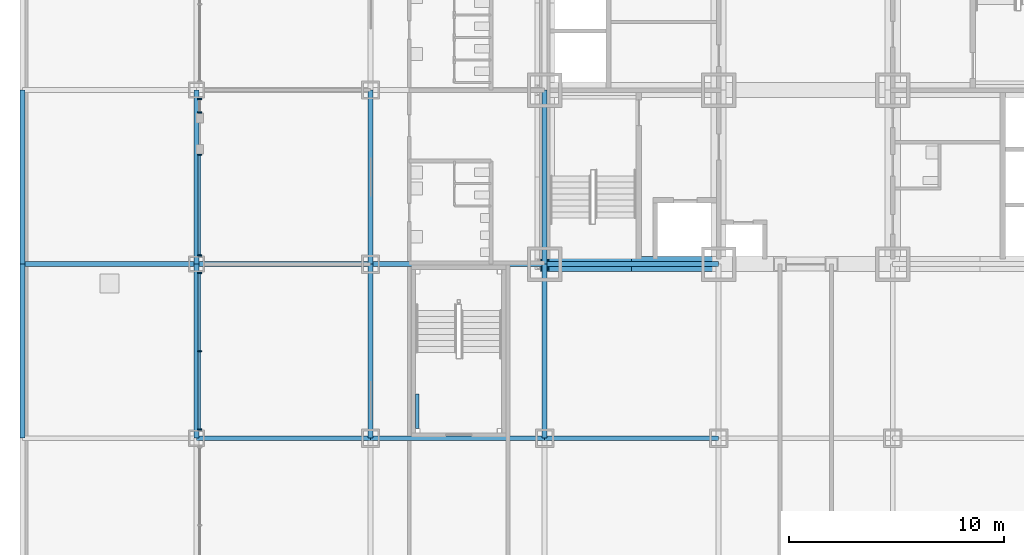
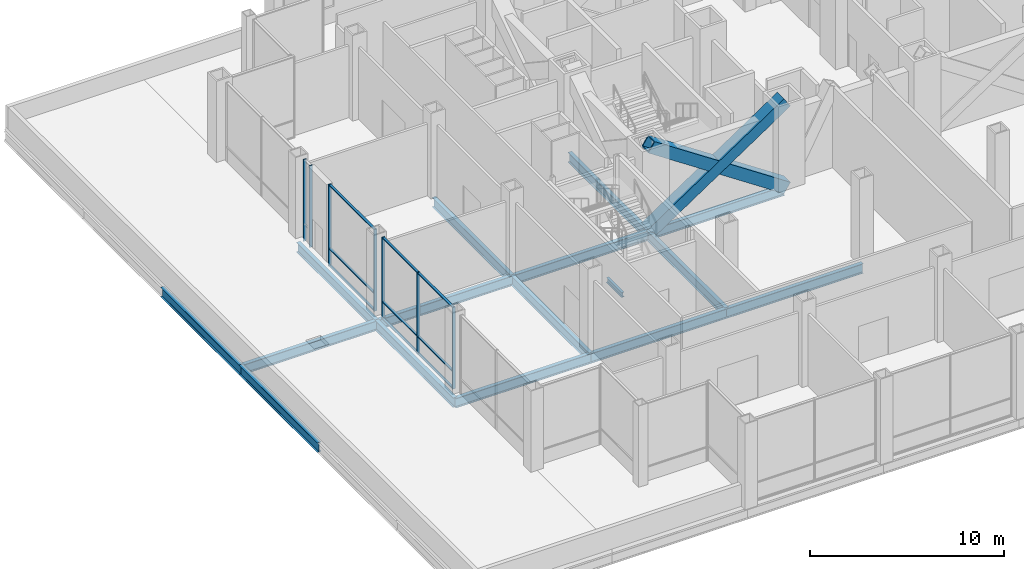
# One storey, part 8 of 26: 18 members, 16 beams, 3 elements without a shape of their own.
"""IFC4 building model written with IfcOpenShell, lengths in metres."""

from ifc_helpers import new_model, si_unit, direction, frame, origin, origin_2d, place, context, subcontext, project, spatial, rectangle, hollow_rectangle, i_section, extrude, material, material_profile, profile_set, type_object, element, aggregate, save


model = new_model("IFC4")

# Units and contexts
model_context = context("Model", 3, precision=1e-05, world=origin(), true_north=direction((0.0, 1.0)))
body_context = subcontext(model_context, "Body", "Model", "MODEL_VIEW")
ifc_project = project(units=[si_unit("LENGTHUNIT", "METRE"), si_unit("AREAUNIT", "SQUARE_METRE"), si_unit("VOLUMEUNIT", "CUBIC_METRE"), si_unit("PLANEANGLEUNIT", "RADIAN"), si_unit("MASSUNIT", "GRAM", prefix="KILO")], contexts=[model_context])

# Site, building, storey
site_placement = place(None, origin())
site = spatial("IfcSite", under=ifc_project, at=site_placement, CompositionType="ELEMENT")
building_placement = place(site_placement, origin())
building = spatial("IfcBuilding", under=site, at=building_placement, Name="Kopane Lantern Tower", CompositionType="ELEMENT")
storey_placement = place(building_placement, frame((0.0, 0.0, 16.800048828125)))
storey = spatial("IfcBuildingStorey", under=building, at=storey_placement, Name="L03", CompositionType="ELEMENT", Elevation=16.800048828125)

# Members
ifc_material_1 = material(Name="Steel S355JR", Category="steel")
ifc_material_profile_1 = material_profile(ifc_material_1, hollow_rectangle(XDim=0.699951171875, YDim=0.699951171875, WallThickness=0.06005859375, at=origin_2d()), Name="BOX 700x700x60")
ifc_profile_set_1 = profile_set([ifc_material_profile_1], Name="Steel S355JR")
member_type_1 = type_object("IfcMemberType", Name="BRACE BOX 700x700x60", PredefinedType="BRACE", material=ifc_profile_set_1)
for number, where, z_axis, x_axis, name in (
    (1, (16.199951171875, 24.300048828125, -0.25), (0.832058010752, 0.0, 0.55468862143), (0.0, 1.0, 0.0), "Core brace L03"),
    (2, (24.300048828125, 24.300048828125, -0.25), (-0.832058010752, 0.0, 0.55468862143), (0.0, -1.0, 0.0), "Core brace L03"),
):
    element("IfcMember", number, at=place(storey_placement, frame(where, z_axis=z_axis, x_axis=x_axis)), inside=storey, type_object=member_type_1, Name=name, PredefinedType="BRACE", context=body_context, shape_type="SweptSolid", body=[
        extrude(hollow_rectangle(XDim=0.699951171875, YDim=0.699951171875, WallThickness=0.06005859375, at=origin_2d()), origin(), (0.0, 0.0, 1.0), 9.735107421875),
    ])

# Beams
ifc_material_2 = material(Name="Steel S355JR", Category="steel")
ifc_material_profile_2 = material_profile(ifc_material_2, i_section(OverallWidth=0.22900390625, OverallDepth=0.6123046875, WebThickness=0.011962890625, FlangeThickness=0.01953125, FilletRadius=0.0126953125, at=origin_2d()), Name="UB 610x229x125")
ifc_profile_set_2 = profile_set([ifc_material_profile_2], Name="Steel S355JR")
beam_type_1 = type_object("IfcBeamType", Name="GIRDER UB 610x229x125", PredefinedType="BEAM", material=ifc_profile_set_2)
beam_1_placement = place(storey_placement, frame((-8.10009765625, 16.199951171875, -0.55615234375), z_axis=(0.0, 1.0, 0.0), x_axis=(-1.0, 0.0, 0.0)))
element("IfcBeam", 3, at=beam_1_placement, inside=storey, type_object=beam_type_1, Name="Girder L03", PredefinedType="BEAM", context=body_context, shape_type="SweptSolid", body=[
    extrude(i_section(OverallWidth=0.22900390625, OverallDepth=0.6123046875, WebThickness=0.011962890625, FlangeThickness=0.01953125, FilletRadius=0.0126953125, at=origin_2d()), origin(), (0.0, 0.0, 1.0), 8.10009765625),
])
beam_2_placement = place(storey_placement, frame((-8.10009765625, 24.300048828125, -0.55615234375), z_axis=(0.0, 1.0, 0.0), x_axis=(-1.0, 0.0, 0.0)))
element("IfcBeam", 4, at=beam_2_placement, inside=storey, type_object=beam_type_1, Name="Girder L03", PredefinedType="BEAM", context=body_context, shape_type="SweptSolid", body=[
    extrude(i_section(OverallWidth=0.22900390625, OverallDepth=0.6123046875, WebThickness=0.011962890625, FlangeThickness=0.01953125, FilletRadius=0.0126953125, at=origin_2d()), origin(), (0.0, 0.0, 1.0), 8.099853515625),
])
for number, where, z_axis, x_axis, name in (
    (5, (-8.10009765625, 24.300048828125, -0.55615234375), (1.0, 0.0, 0.0), (0.0, 1.0, 0.0), "Girder L03"),
    (6, (0.0, 16.199951171875, -0.55615234375), (0.0, 1.0, 0.0), (-1.0, 0.0, 0.0), "Girder L03"),
    (7, (0.0, 16.199951171875, -0.55615234375), (1.0, 0.0, 0.0), (0.0, 1.0, 0.0), "Girder L03"),
):
    element("IfcBeam", number, at=place(storey_placement, frame(where, z_axis=z_axis, x_axis=x_axis)), inside=storey, type_object=beam_type_1, Name=name, PredefinedType="BEAM", context=body_context, shape_type="SweptSolid", body=[
        extrude(i_section(OverallWidth=0.22900390625, OverallDepth=0.6123046875, WebThickness=0.011962890625, FlangeThickness=0.01953125, FilletRadius=0.0126953125, at=origin_2d()), origin(), (0.0, 0.0, 1.0), 8.10009765625),
    ])
beam_3_placement = place(storey_placement, frame((0.0, 24.300048828125, -0.55615234375), z_axis=(0.0, 1.0, 0.0), x_axis=(-1.0, 0.0, 0.0)))
element("IfcBeam", 8, at=beam_3_placement, inside=storey, type_object=beam_type_1, Name="Girder L03", PredefinedType="BEAM", context=body_context, shape_type="SweptSolid", body=[
    extrude(i_section(OverallWidth=0.22900390625, OverallDepth=0.6123046875, WebThickness=0.011962890625, FlangeThickness=0.01953125, FilletRadius=0.0126953125, at=origin_2d()), origin(), (0.0, 0.0, 1.0), 8.099853515625),
])
for number, where, z_axis, x_axis, name in (
    (9, (0.0, 24.300048828125, -0.55615234375), (1.0, 0.0, 0.0), (0.0, 1.0, 0.0), "Girder L03"),
    (10, (8.10009765625, 16.199951171875, -0.55615234375), (0.0, 1.0, 0.0), (-1.0, 0.0, 0.0), "Girder L03"),
):
    element("IfcBeam", number, at=place(storey_placement, frame(where, z_axis=z_axis, x_axis=x_axis)), inside=storey, type_object=beam_type_1, Name=name, PredefinedType="BEAM", context=body_context, shape_type="SweptSolid", body=[
        extrude(i_section(OverallWidth=0.22900390625, OverallDepth=0.6123046875, WebThickness=0.011962890625, FlangeThickness=0.01953125, FilletRadius=0.0126953125, at=origin_2d()), origin(), (0.0, 0.0, 1.0), 8.10009765625),
    ])
for number, where, z_axis, x_axis, name in (
    (11, (8.10009765625, 16.199951171875, -0.55615234375), (1.0, 0.0, 0.0), (0.0, 1.0, 0.0), "Girder L03"),
    (12, (8.10009765625, 24.300048828125, -0.55615234375), (0.0, 1.0, 0.0), (-1.0, 0.0, 0.0), "Girder L03"),
    (13, (8.10009765625, 24.300048828125, -0.55615234375), (1.0, 0.0, 0.0), (0.0, 1.0, 0.0), "Girder L03"),
):
    element("IfcBeam", number, at=place(storey_placement, frame(where, z_axis=z_axis, x_axis=x_axis)), inside=storey, type_object=beam_type_1, Name=name, PredefinedType="BEAM", context=body_context, shape_type="SweptSolid", body=[
        extrude(i_section(OverallWidth=0.22900390625, OverallDepth=0.6123046875, WebThickness=0.011962890625, FlangeThickness=0.01953125, FilletRadius=0.0126953125, at=origin_2d()), origin(), (0.0, 0.0, 1.0), 8.099853515625),
    ])
for number, where, z_axis, x_axis, name in (
    (14, (16.199951171875, 16.199951171875, -0.55615234375), (0.0, 1.0, 0.0), (-1.0, 0.0, 0.0), "Girder L03"),
    (15, (16.199951171875, 16.199951171875, -0.55615234375), (1.0, 0.0, 0.0), (0.0, 1.0, 0.0), "Girder L03"),
):
    element("IfcBeam", number, at=place(storey_placement, frame(where, z_axis=z_axis, x_axis=x_axis)), inside=storey, type_object=beam_type_1, Name=name, PredefinedType="BEAM", context=body_context, shape_type="SweptSolid", body=[
        extrude(i_section(OverallWidth=0.22900390625, OverallDepth=0.6123046875, WebThickness=0.011962890625, FlangeThickness=0.01953125, FilletRadius=0.0126953125, at=origin_2d()), origin(), (0.0, 0.0, 1.0), 8.10009765625),
    ])
beam_4_placement = place(storey_placement, frame((16.199951171875, 24.300048828125, -0.55615234375), z_axis=(0.0, 1.0, 0.0), x_axis=(-1.0, 0.0, 0.0)))
element("IfcBeam", 16, at=beam_4_placement, inside=storey, type_object=beam_type_1, Name="Girder L03", PredefinedType="BEAM", context=body_context, shape_type="SweptSolid", body=[
    extrude(i_section(OverallWidth=0.22900390625, OverallDepth=0.6123046875, WebThickness=0.011962890625, FlangeThickness=0.01953125, FilletRadius=0.0126953125, at=origin_2d()), origin(), (0.0, 0.0, 1.0), 8.099853515625),
])
beam_5_placement = place(storey_placement, frame((16.199951171875, 24.300048828125, -0.55615234375), z_axis=(1.0, 0.0, 0.0), x_axis=(0.0, 1.0, 0.0)))
element("IfcBeam", 17, at=beam_5_placement, inside=storey, type_object=beam_type_1, Name="Girder L03", PredefinedType="BEAM", context=body_context, shape_type="SweptSolid", body=[
    extrude(i_section(OverallWidth=0.22900390625, OverallDepth=0.6123046875, WebThickness=0.011962890625, FlangeThickness=0.01953125, FilletRadius=0.0126953125, at=origin_2d()), origin(), (0.0, 0.0, 1.0), 8.10009765625),
])

# Curtain wall, members
ifc_material_3 = material(Name="Aluminium and clear glass", Category="aluminium")
curtain_wall_type = type_object("IfcCurtainWallType", Name="CURTAIN WALL CW2 PODIUM UPPER", PredefinedType="USERDEFINED", material=ifc_material_3)
curtain_wall_1_placement = place(storey_placement, origin())
curtain_wall_1 = element("IfcCurtainWall", 18, at=curtain_wall_1_placement, inside=storey, type_object=curtain_wall_type, Name="Curtain wall CW2 W L03", ObjectType="CURTAIN WALL", PredefinedType="USERDEFINED")
ifc_material_4 = material(Name="Aluminium", Category="aluminium")
ifc_material_profile_3 = material_profile(ifc_material_4, rectangle(XDim=0.06005859375, YDim=0.179931640625, at=origin_2d()), Name="AL 60x180")
ifc_profile_set_3 = profile_set([ifc_material_profile_3], Name="Aluminium")
member_type_2 = type_object("IfcMemberType", Name="MULLION CW2-M 60x180", PredefinedType="MULLION", material=ifc_profile_set_3)
member_1_placement = place(storey_placement, frame((0.14990234375, 31.989990234375, 0.0), z_axis=(0.0, 0.0, 1.0), x_axis=(0.0, -1.0, 0.0)))
member_1 = element("IfcMember", 19, at=member_1_placement, type_object=member_type_2, Name="CW2 mullion 1", PredefinedType="MULLION", context=body_context, shape_type="SweptSolid", body=[
    extrude(rectangle(XDim=0.06005859375, YDim=0.179931640625, at=origin_2d()), origin(), (0.0, 0.0, 1.0), 5.14990234375),
])
member_2_placement = place(storey_placement, frame((0.14990234375, 31.35498046875, 0.0), z_axis=(0.0, 0.0, 1.0), x_axis=(0.0, -1.0, 0.0)))
member_2 = element("IfcMember", 20, at=member_2_placement, type_object=member_type_2, Name="CW2 mullion 2", PredefinedType="MULLION", context=body_context, shape_type="SweptSolid", body=[
    extrude(rectangle(XDim=0.06005859375, YDim=0.179931640625, at=origin_2d()), origin(), (0.0, 0.0, 1.0), 5.14990234375),
])
aggregate(curtain_wall_1, [member_1, member_2])

curtain_wall_2_placement = place(storey_placement, origin())
curtain_wall_2 = element("IfcCurtainWall", 21, at=curtain_wall_2_placement, inside=storey, type_object=curtain_wall_type, Name="Curtain wall CW2 W L03", ObjectType="CURTAIN WALL", PredefinedType="USERDEFINED")
member_3_placement = place(storey_placement, frame((0.14990234375, 29.39501953125, 0.0), z_axis=(0.0, 0.0, 1.0), x_axis=(0.0, -1.0, 0.0)))
member_3 = element("IfcMember", 22, at=member_3_placement, type_object=member_type_2, Name="CW2 mullion 1", PredefinedType="MULLION", context=body_context, shape_type="SweptSolid", body=[
    extrude(rectangle(XDim=0.06005859375, YDim=0.179931640625, at=origin_2d()), origin(), (0.0, 0.0, 1.0), 5.14990234375),
])
member_4_placement = place(storey_placement, frame((0.14990234375, 24.7099609375, 0.0), z_axis=(0.0, 0.0, 1.0), x_axis=(0.0, -1.0, 0.0)))
member_4 = element("IfcMember", 23, at=member_4_placement, type_object=member_type_2, Name="CW2 mullion 2", PredefinedType="MULLION", context=body_context, shape_type="SweptSolid", body=[
    extrude(rectangle(XDim=0.06005859375, YDim=0.179931640625, at=origin_2d()), origin(), (0.0, 0.0, 1.0), 5.14990234375),
])

curtain_wall_3_placement = place(storey_placement, origin())
curtain_wall_3 = element("IfcCurtainWall", 24, at=curtain_wall_3_placement, inside=storey, type_object=curtain_wall_type, Name="Curtain wall CW2 W L03", ObjectType="CURTAIN WALL", PredefinedType="USERDEFINED")
member_5_placement = place(storey_placement, frame((0.14990234375, 23.889892578125, 0.0), z_axis=(0.0, 0.0, 1.0), x_axis=(0.0, -1.0, 0.0)))
member_5 = element("IfcMember", 25, at=member_5_placement, type_object=member_type_2, Name="CW2 mullion 1", PredefinedType="MULLION", context=body_context, shape_type="SweptSolid", body=[
    extrude(rectangle(XDim=0.06005859375, YDim=0.179931640625, at=origin_2d()), origin(), (0.0, 0.0, 1.0), 5.14990234375),
])
member_6_placement = place(storey_placement, frame((0.14990234375, 20.25, 0.0), z_axis=(0.0, 0.0, 1.0), x_axis=(0.0, -1.0, 0.0)))
member_6 = element("IfcMember", 26, at=member_6_placement, type_object=member_type_2, Name="CW2 mullion 2", PredefinedType="MULLION", context=body_context, shape_type="SweptSolid", body=[
    extrude(rectangle(XDim=0.06005859375, YDim=0.179931640625, at=origin_2d()), origin(), (0.0, 0.0, 1.0), 5.14990234375),
])
member_7_placement = place(storey_placement, frame((0.14990234375, 16.610107421875, 0.0), z_axis=(0.0, 0.0, 1.0), x_axis=(0.0, -1.0, 0.0)))
member_7 = element("IfcMember", 27, at=member_7_placement, type_object=member_type_2, Name="CW2 mullion 3", PredefinedType="MULLION", context=body_context, shape_type="SweptSolid", body=[
    extrude(rectangle(XDim=0.06005859375, YDim=0.179931640625, at=origin_2d()), origin(), (0.0, 0.0, 1.0), 5.14990234375),
])

# Beam
ifc_material_5 = material(Name="Steel S355JR", Category="steel")
ifc_material_profile_4 = material_profile(ifc_material_5, i_section(OverallWidth=0.1650390625, OverallDepth=0.303466796875, WebThickness=0.006103515625, FlangeThickness=0.01025390625, FilletRadius=0.0087890625, at=origin_2d()), Name="UB 305x165x40")
ifc_profile_set_4 = profile_set([ifc_material_profile_4], Name="Steel S355JR")
beam_type_2 = type_object("IfcBeamType", Name="STAIR LANDING BEAM UB 305x165x40", PredefinedType="BEAM", material=ifc_profile_set_4)
beam_6_placement = place(storey_placement, frame((10.282470703125, 16.64990234375, 2.34814453125), z_axis=(0.0, 1.0, 0.0), x_axis=(-1.0, 0.0, 0.0)))
element("IfcBeam", 28, at=beam_6_placement, inside=storey, type_object=beam_type_2, Name="Stair landing beam ST3 L03", PredefinedType="BEAM", context=body_context, shape_type="SweptSolid", body=[
    extrude(i_section(OverallWidth=0.1650390625, OverallDepth=0.303466796875, WebThickness=0.006103515625, FlangeThickness=0.01025390625, FilletRadius=0.0087890625, at=origin_2d()), origin(), (0.0, 0.0, 1.0), 1.60009765625),
])

# Member
ifc_material_6 = material(Name="Aluminium", Category="aluminium")
ifc_material_profile_5 = material_profile(ifc_material_6, rectangle(XDim=0.139892578125, YDim=0.06005859375, at=origin_2d()), Name="AL 140x60")
ifc_profile_set_5 = profile_set([ifc_material_profile_5], Name="Aluminium")
member_type_3 = type_object("IfcMemberType", Name="TRANSOM CW2-T 60x140", PredefinedType="USERDEFINED", material=ifc_profile_set_5)
member_8_placement = place(storey_placement, frame((0.14990234375, 29.364990234375, 0.030029296875), z_axis=(0.0, -1.0, 0.0), x_axis=(1.0, 0.0, 0.0)))
member_8 = element("IfcMember", 29, at=member_8_placement, type_object=member_type_3, Name="CW2 transom 1.1", ObjectType="TRANSOM", PredefinedType="USERDEFINED", context=body_context, shape_type="SweptSolid", body=[
    extrude(rectangle(XDim=0.139892578125, YDim=0.06005859375, at=origin_2d()), origin(), (0.0, 0.0, 1.0), 4.625),
])

member_9_placement = place(storey_placement, frame((0.14990234375, 29.364990234375, 1.099853515625), z_axis=(0.0, -1.0, 0.0), x_axis=(1.0, 0.0, 0.0)))
member_9 = element("IfcMember", 30, at=member_9_placement, type_object=member_type_3, Name="CW2 transom 1.2", ObjectType="TRANSOM", PredefinedType="USERDEFINED", context=body_context, shape_type="SweptSolid", body=[
    extrude(rectangle(XDim=0.139892578125, YDim=0.06005859375, at=origin_2d()), origin(), (0.0, 0.0, 1.0), 4.625),
])

member_10_placement = place(storey_placement, frame((0.14990234375, 29.364990234375, 5.119873046875), z_axis=(0.0, -1.0, 0.0), x_axis=(1.0, 0.0, 0.0)))
member_10 = element("IfcMember", 31, at=member_10_placement, type_object=member_type_3, Name="CW2 transom 1.3", ObjectType="TRANSOM", PredefinedType="USERDEFINED", context=body_context, shape_type="SweptSolid", body=[
    extrude(rectangle(XDim=0.139892578125, YDim=0.06005859375, at=origin_2d()), origin(), (0.0, 0.0, 1.0), 4.625),
])

aggregate(curtain_wall_2, [member_3, member_4, member_8, member_9, member_10])

member_11_placement = place(storey_placement, frame((0.14990234375, 23.860107421875, 0.030029296875), z_axis=(0.0, -1.0, 0.0), x_axis=(1.0, 0.0, 0.0)))
member_11 = element("IfcMember", 32, at=member_11_placement, type_object=member_type_3, Name="CW2 transom 1.1", ObjectType="TRANSOM", PredefinedType="USERDEFINED", context=body_context, shape_type="SweptSolid", body=[
    extrude(rectangle(XDim=0.139892578125, YDim=0.06005859375, at=origin_2d()), origin(), (0.0, 0.0, 1.0), 3.580078125),
])

member_12_placement = place(storey_placement, frame((0.14990234375, 23.860107421875, 1.099853515625), z_axis=(0.0, -1.0, 0.0), x_axis=(1.0, 0.0, 0.0)))
member_12 = element("IfcMember", 33, at=member_12_placement, type_object=member_type_3, Name="CW2 transom 1.2", ObjectType="TRANSOM", PredefinedType="USERDEFINED", context=body_context, shape_type="SweptSolid", body=[
    extrude(rectangle(XDim=0.139892578125, YDim=0.06005859375, at=origin_2d()), origin(), (0.0, 0.0, 1.0), 3.580078125),
])

member_13_placement = place(storey_placement, frame((0.14990234375, 23.860107421875, 5.119873046875), z_axis=(0.0, -1.0, 0.0), x_axis=(1.0, 0.0, 0.0)))
member_13 = element("IfcMember", 34, at=member_13_placement, type_object=member_type_3, Name="CW2 transom 1.3", ObjectType="TRANSOM", PredefinedType="USERDEFINED", context=body_context, shape_type="SweptSolid", body=[
    extrude(rectangle(XDim=0.139892578125, YDim=0.06005859375, at=origin_2d()), origin(), (0.0, 0.0, 1.0), 3.580078125),
])

member_14_placement = place(storey_placement, frame((0.14990234375, 20.219970703125, 0.030029296875), z_axis=(0.0, -1.0, 0.0), x_axis=(1.0, 0.0, 0.0)))
member_14 = element("IfcMember", 35, at=member_14_placement, type_object=member_type_3, Name="CW2 transom 2.1", ObjectType="TRANSOM", PredefinedType="USERDEFINED", context=body_context, shape_type="SweptSolid", body=[
    extrude(rectangle(XDim=0.139892578125, YDim=0.06005859375, at=origin_2d()), origin(), (0.0, 0.0, 1.0), 3.580078125),
])

member_15_placement = place(storey_placement, frame((0.14990234375, 20.219970703125, 1.099853515625), z_axis=(0.0, -1.0, 0.0), x_axis=(1.0, 0.0, 0.0)))
member_15 = element("IfcMember", 36, at=member_15_placement, type_object=member_type_3, Name="CW2 transom 2.2", ObjectType="TRANSOM", PredefinedType="USERDEFINED", context=body_context, shape_type="SweptSolid", body=[
    extrude(rectangle(XDim=0.139892578125, YDim=0.06005859375, at=origin_2d()), origin(), (0.0, 0.0, 1.0), 3.580078125),
])

member_16_placement = place(storey_placement, frame((0.14990234375, 20.219970703125, 5.119873046875), z_axis=(0.0, -1.0, 0.0), x_axis=(1.0, 0.0, 0.0)))
member_16 = element("IfcMember", 37, at=member_16_placement, type_object=member_type_3, Name="CW2 transom 2.3", ObjectType="TRANSOM", PredefinedType="USERDEFINED", context=body_context, shape_type="SweptSolid", body=[
    extrude(rectangle(XDim=0.139892578125, YDim=0.06005859375, at=origin_2d()), origin(), (0.0, 0.0, 1.0), 3.580078125),
])

aggregate(curtain_wall_3, [member_5, member_6, member_7, member_11, member_12, member_13, member_14, member_15, member_16])

save(model, "model.ifc")
